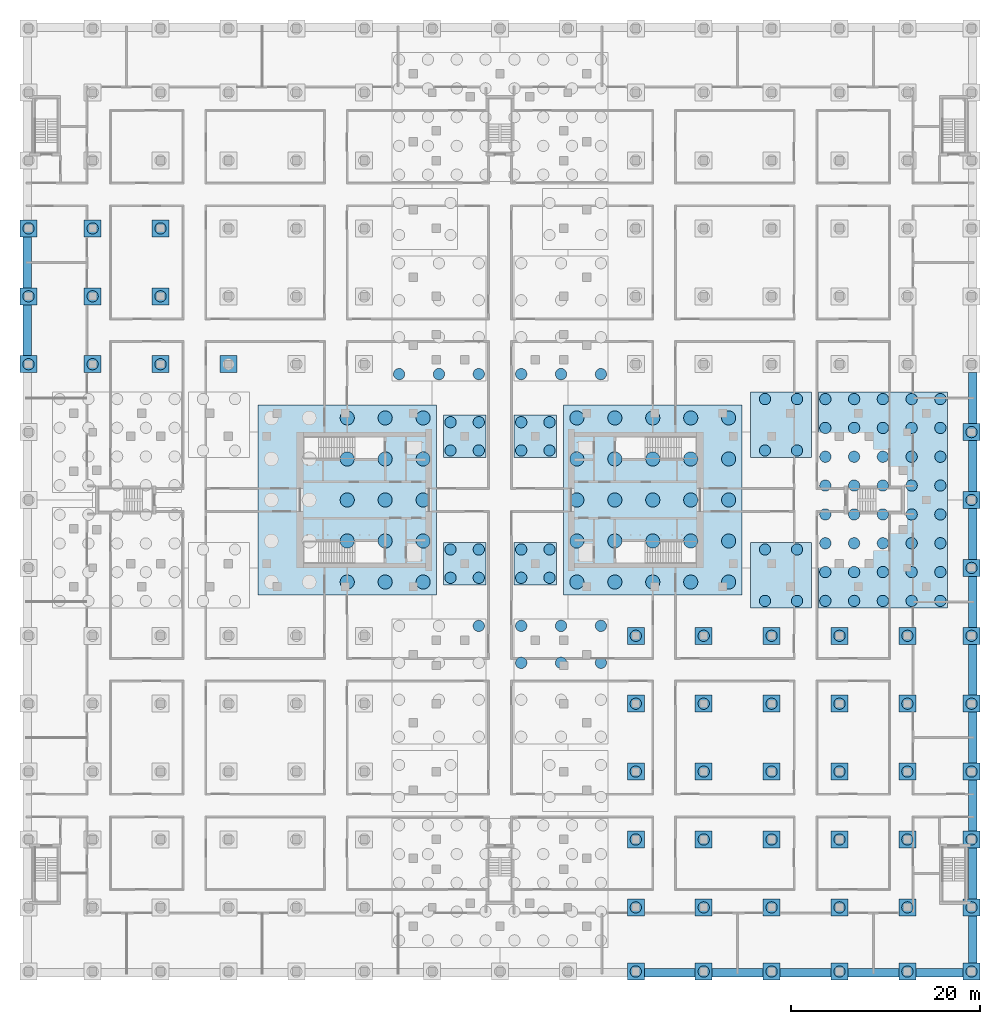
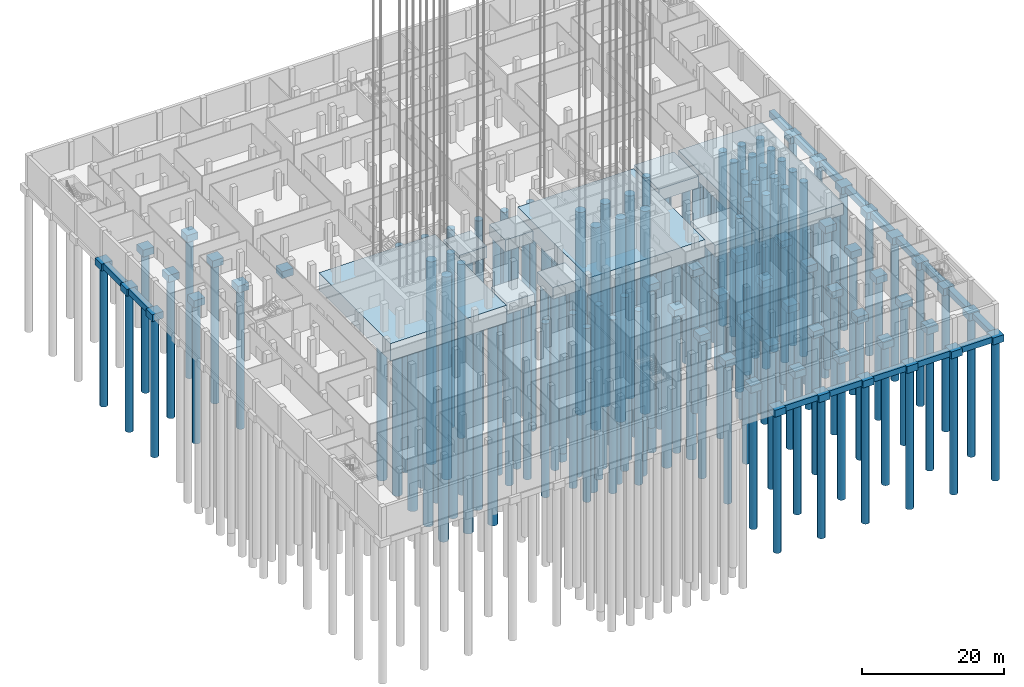
# One storey, part 2 of 54: 165 piles, 74 footings.
"""IFC4 building model written with IfcOpenShell, lengths in metres."""

from ifc_helpers import new_model, si_unit, direction, frame, origin, origin_2d, place, context, subcontext, project, spatial, rectangle, circle, extrude, material, material_profile, profile_set, type_object, element, save


model = new_model("IFC4")

# Units and contexts
model_context = context("Model", 3, precision=1e-05, world=origin(), true_north=direction((0.0, 1.0)))
body_context = subcontext(model_context, "Body", "Model", "MODEL_VIEW")
ifc_project = project(units=[si_unit("LENGTHUNIT", "METRE"), si_unit("AREAUNIT", "SQUARE_METRE"), si_unit("VOLUMEUNIT", "CUBIC_METRE"), si_unit("PLANEANGLEUNIT", "RADIAN"), si_unit("MASSUNIT", "GRAM", prefix="KILO")], contexts=[model_context])

# Site, building, storey
site_placement = place(None, origin())
site = spatial("IfcSite", under=ifc_project, at=site_placement, CompositionType="ELEMENT")
building_placement = place(site_placement, origin())
building = spatial("IfcBuilding", under=site, at=building_placement, Name="Fustian Cross Tower", CompositionType="ELEMENT")
storey_placement = place(building_placement, frame((0.0, 0.0, -4.800048828125)))
storey = spatial("IfcBuildingStorey", under=building, at=storey_placement, Name="B1", CompositionType="ELEMENT", Elevation=-4.800048828125)

# Piles
ifc_material_1 = material(Name="Concrete C40/50", Category="concrete")
ifc_material_profile_1 = material_profile(ifc_material_1, circle(Radius=0.60009765625, at=origin_2d()), Name="BORED PILE D1200 L24000")
ifc_profile_set_1 = profile_set([ifc_material_profile_1], Name="Concrete C40/50")
pile_type_1 = type_object("IfcPileType", Name="BORED PILE D1200 L24000", PredefinedType="BORED", material=ifc_profile_set_1)
for number, where, z_axis, x_axis, name in (
    (1, (-50.0, 14.39990234375, -1.599853515625), (0.0, 0.0, -1.0), (1.0, 0.0, 0.0), "PILE 010-01"),
    (2, (-50.0, 21.60009765625, -1.599853515625), (0.0, 0.0, -1.0), (1.0, 0.0, 0.0), "PILE 011-01"),
    (3, (-50.0, 28.800048828125, -1.599853515625), (0.0, 0.0, -1.0), (1.0, 0.0, 0.0), "PILE 012-01"),
    (4, (-43.199951171875, 14.39990234375, -1.599853515625), (0.0, 0.0, -1.0), (1.0, 0.0, 0.0), "PILE 024-01"),
    (5, (-43.199951171875, 21.60009765625, -1.599853515625), (0.0, 0.0, -1.0), (1.0, 0.0, 0.0), "PILE 025-01"),
    (6, (-43.199951171875, 28.800048828125, -1.599853515625), (0.0, 0.0, -1.0), (1.0, 0.0, 0.0), "PILE 026-01"),
    (7, (-36.0, 14.39990234375, -1.599853515625), (0.0, 0.0, -1.0), (1.0, 0.0, 0.0), "PILE 036-01"),
    (8, (-36.0, 21.60009765625, -1.599853515625), (0.0, 0.0, -1.0), (1.0, 0.0, 0.0), "PILE 037-01"),
    (9, (-36.0, 28.800048828125, -1.599853515625), (0.0, 0.0, -1.0), (1.0, 0.0, 0.0), "PILE 038-01"),
    (10, (14.39990234375, -50.0, -1.599853515625), (0.0, 0.0, -1.0), (1.0, 0.0, 0.0), "PILE 100-01"),
    (11, (14.39990234375, -43.199951171875, -1.599853515625), (0.0, 0.0, -1.0), (1.0, 0.0, 0.0), "PILE 101-01"),
    (12, (14.39990234375, -36.0, -1.599853515625), (0.0, 0.0, -1.0), (1.0, 0.0, 0.0), "PILE 102-01"),
    (13, (14.39990234375, -28.800048828125, -1.599853515625), (0.0, 0.0, -1.0), (1.0, 0.0, 0.0), "PILE 103-01"),
    (14, (14.39990234375, -21.60009765625, -1.599853515625), (0.0, 0.0, -1.0), (1.0, 0.0, 0.0), "PILE 104-01"),
    (15, (14.39990234375, -14.39990234375, -1.599853515625), (0.0, 0.0, -1.0), (1.0, 0.0, 0.0), "PILE 105-01"),
    (16, (21.60009765625, -50.0, -1.599853515625), (0.0, 0.0, -1.0), (1.0, 0.0, 0.0), "PILE 112-01"),
    (17, (21.60009765625, -43.199951171875, -1.599853515625), (0.0, 0.0, -1.0), (1.0, 0.0, 0.0), "PILE 113-01"),
    (18, (21.60009765625, -36.0, -1.599853515625), (0.0, 0.0, -1.0), (1.0, 0.0, 0.0), "PILE 114-01"),
    (19, (21.60009765625, -28.800048828125, -1.599853515625), (0.0, 0.0, -1.0), (1.0, 0.0, 0.0), "PILE 115-01"),
    (20, (21.60009765625, -21.60009765625, -1.599853515625), (0.0, 0.0, -1.0), (1.0, 0.0, 0.0), "PILE 116-01"),
    (21, (21.60009765625, -14.39990234375, -1.599853515625), (0.0, 0.0, -1.0), (1.0, 0.0, 0.0), "PILE 117-01"),
    (22, (28.800048828125, -50.0, -1.599853515625), (0.0, 0.0, -1.0), (1.0, 0.0, 0.0), "PILE 124-01"),
    (23, (28.800048828125, -43.199951171875, -1.599853515625), (0.0, 0.0, -1.0), (1.0, 0.0, 0.0), "PILE 125-01"),
    (24, (28.800048828125, -36.0, -1.599853515625), (0.0, 0.0, -1.0), (1.0, 0.0, 0.0), "PILE 126-01"),
    (25, (28.800048828125, -28.800048828125, -1.599853515625), (0.0, 0.0, -1.0), (1.0, 0.0, 0.0), "PILE 127-01"),
    (26, (28.800048828125, -21.60009765625, -1.599853515625), (0.0, 0.0, -1.0), (1.0, 0.0, 0.0), "PILE 128-01"),
    (27, (28.800048828125, -14.39990234375, -1.599853515625), (0.0, 0.0, -1.0), (1.0, 0.0, 0.0), "PILE 129-01"),
    (28, (36.0, -50.0, -1.599853515625), (0.0, 0.0, -1.0), (1.0, 0.0, 0.0), "PILE 138-01"),
    (29, (36.0, -43.199951171875, -1.599853515625), (0.0, 0.0, -1.0), (1.0, 0.0, 0.0), "PILE 139-01"),
    (30, (36.0, -36.0, -1.599853515625), (0.0, 0.0, -1.0), (1.0, 0.0, 0.0), "PILE 140-01"),
    (31, (36.0, -28.800048828125, -1.599853515625), (0.0, 0.0, -1.0), (1.0, 0.0, 0.0), "PILE 141-01"),
    (32, (36.0, -21.60009765625, -1.599853515625), (0.0, 0.0, -1.0), (1.0, 0.0, 0.0), "PILE 142-01"),
    (33, (36.0, -14.39990234375, -1.599853515625), (0.0, 0.0, -1.0), (1.0, 0.0, 0.0), "PILE 143-01"),
    (34, (43.199951171875, -50.0, -1.599853515625), (0.0, 0.0, -1.0), (1.0, 0.0, 0.0), "PILE 151-01"),
    (35, (43.199951171875, -43.199951171875, -1.599853515625), (0.0, 0.0, -1.0), (1.0, 0.0, 0.0), "PILE 152-01"),
    (36, (43.199951171875, -36.0, -1.599853515625), (0.0, 0.0, -1.0), (1.0, 0.0, 0.0), "PILE 153-01"),
    (37, (43.199951171875, -28.800048828125, -1.599853515625), (0.0, 0.0, -1.0), (1.0, 0.0, 0.0), "PILE 154-01"),
    (38, (43.199951171875, -21.60009765625, -1.599853515625), (0.0, 0.0, -1.0), (1.0, 0.0, 0.0), "PILE 155-01"),
    (39, (43.199951171875, -14.39990234375, -1.599853515625), (0.0, 0.0, -1.0), (1.0, 0.0, 0.0), "PILE 156-01"),
    (40, (50.0, -50.0, -1.599853515625), (0.0, 0.0, -1.0), (1.0, 0.0, 0.0), "PILE 163-01"),
    (41, (50.0, -43.199951171875, -1.599853515625), (0.0, 0.0, -1.0), (1.0, 0.0, 0.0), "PILE 164-01"),
    (42, (50.0, -36.0, -1.599853515625), (0.0, 0.0, -1.0), (1.0, 0.0, 0.0), "PILE 165-01"),
    (43, (50.0, -28.800048828125, -1.599853515625), (0.0, 0.0, -1.0), (1.0, 0.0, 0.0), "PILE 166-01"),
    (44, (50.0, -21.60009765625, -1.599853515625), (0.0, 0.0, -1.0), (1.0, 0.0, 0.0), "PILE 167-01"),
    (45, (50.0, -14.39990234375, -1.599853515625), (0.0, 0.0, -1.0), (1.0, 0.0, 0.0), "PILE 168-01"),
    (46, (50.0, -7.199951171875, -1.599853515625), (0.0, 0.0, -1.0), (1.0, 0.0, 0.0), "PILE 169-01"),
    (47, (50.0, 0.0, -1.599853515625), (0.0, 0.0, -1.0), (1.0, 0.0, 0.0), "PILE 170-01"),
    (48, (50.0, 7.199951171875, -1.599853515625), (0.0, 0.0, -1.0), (1.0, 0.0, 0.0), "PILE 171-01"),
):
    element("IfcPile", number, at=place(storey_placement, frame(where, z_axis=z_axis, x_axis=x_axis)), inside=storey, type_object=pile_type_1, Name=name, PredefinedType="BORED", context=body_context, shape_type="SweptSolid", body=[
        extrude(circle(Radius=0.60009765625, at=origin_2d()), origin(), (0.0, 0.0, 1.0), 24.0),
    ])
ifc_material_2 = material(Name="Concrete C40/50", Category="concrete")
ifc_material_profile_2 = material_profile(ifc_material_2, circle(Radius=0.60009765625, at=origin_2d()), Name="BORED PILE D1200 L30000")
ifc_profile_set_2 = profile_set([ifc_material_profile_2], Name="Concrete C40/50")
pile_type_2 = type_object("IfcPileType", Name="BORED PILE D1200 L30000", PredefinedType="BORED", material=ifc_profile_set_2)
for number, where, z_axis, x_axis, name in (
    (49, (-2.25, -13.35009765625, -2.39990234375), (0.0, 0.0, -1.0), (1.0, 0.0, 0.0), "PILE 082-12"),
    (50, (-10.699951171875, 13.35009765625, -2.39990234375), (0.0, 0.0, -1.0), (1.0, 0.0, 0.0), "PILE 083-01"),
    (51, (-6.47509765625, 13.35009765625, -2.39990234375), (0.0, 0.0, -1.0), (1.0, 0.0, 0.0), "PILE 083-05"),
    (52, (-2.25, 13.35009765625, -2.39990234375), (0.0, 0.0, -1.0), (1.0, 0.0, 0.0), "PILE 083-09"),
    (53, (-5.25, -8.25, -2.39990234375), (0.0, 0.0, -1.0), (1.0, 0.0, 0.0), "PILE 088-01"),
    (54, (-5.25, -5.25, -2.39990234375), (0.0, 0.0, -1.0), (1.0, 0.0, 0.0), "PILE 088-02"),
    (55, (-2.25, -8.25, -2.39990234375), (0.0, 0.0, -1.0), (1.0, 0.0, 0.0), "PILE 088-03"),
    (56, (-2.25, -5.25, -2.39990234375), (0.0, 0.0, -1.0), (1.0, 0.0, 0.0), "PILE 088-04"),
    (57, (-5.25, 5.25, -2.39990234375), (0.0, 0.0, -1.0), (1.0, 0.0, 0.0), "PILE 089-01"),
    (58, (-5.25, 8.25, -2.39990234375), (0.0, 0.0, -1.0), (1.0, 0.0, 0.0), "PILE 089-02"),
    (59, (-2.25, 5.25, -2.39990234375), (0.0, 0.0, -1.0), (1.0, 0.0, 0.0), "PILE 089-03"),
    (60, (-2.25, 8.25, -2.39990234375), (0.0, 0.0, -1.0), (1.0, 0.0, 0.0), "PILE 089-04"),
    (61, (2.25, -17.2666015625, -2.39990234375), (0.0, 0.0, -1.0), (1.0, 0.0, 0.0), "PILE 092-03"),
    (62, (2.25, -13.35009765625, -2.39990234375), (0.0, 0.0, -1.0), (1.0, 0.0, 0.0), "PILE 092-04"),
    (63, (6.47509765625, -17.2666015625, -2.39990234375), (0.0, 0.0, -1.0), (1.0, 0.0, 0.0), "PILE 092-07"),
    (64, (6.47509765625, -13.35009765625, -2.39990234375), (0.0, 0.0, -1.0), (1.0, 0.0, 0.0), "PILE 092-08"),
    (65, (10.699951171875, -17.2666015625, -2.39990234375), (0.0, 0.0, -1.0), (1.0, 0.0, 0.0), "PILE 092-11"),
    (66, (10.699951171875, -13.35009765625, -2.39990234375), (0.0, 0.0, -1.0), (1.0, 0.0, 0.0), "PILE 092-12"),
    (67, (2.25, -8.25, -2.39990234375), (0.0, 0.0, -1.0), (1.0, 0.0, 0.0), "PILE 093-01"),
    (68, (2.25, -5.25, -2.39990234375), (0.0, 0.0, -1.0), (1.0, 0.0, 0.0), "PILE 093-02"),
    (69, (5.25, -8.25, -2.39990234375), (0.0, 0.0, -1.0), (1.0, 0.0, 0.0), "PILE 093-03"),
    (70, (5.25, -5.25, -2.39990234375), (0.0, 0.0, -1.0), (1.0, 0.0, 0.0), "PILE 093-04"),
    (71, (2.25, 5.25, -2.39990234375), (0.0, 0.0, -1.0), (1.0, 0.0, 0.0), "PILE 094-01"),
    (72, (2.25, 8.25, -2.39990234375), (0.0, 0.0, -1.0), (1.0, 0.0, 0.0), "PILE 094-02"),
    (73, (5.25, 5.25, -2.39990234375), (0.0, 0.0, -1.0), (1.0, 0.0, 0.0), "PILE 094-03"),
    (74, (5.25, 8.25, -2.39990234375), (0.0, 0.0, -1.0), (1.0, 0.0, 0.0), "PILE 094-04"),
    (75, (2.25, 13.35009765625, -2.39990234375), (0.0, 0.0, -1.0), (1.0, 0.0, 0.0), "PILE 095-01"),
    (76, (6.47509765625, 13.35009765625, -2.39990234375), (0.0, 0.0, -1.0), (1.0, 0.0, 0.0), "PILE 095-05"),
    (77, (10.699951171875, 13.35009765625, -2.39990234375), (0.0, 0.0, -1.0), (1.0, 0.0, 0.0), "PILE 095-09"),
    (78, (28.10009765625, -10.699951171875, -2.39990234375), (0.0, 0.0, -1.0), (1.0, 0.0, 0.0), "PILE 130-01"),
    (79, (28.10009765625, -5.25, -2.39990234375), (0.0, 0.0, -1.0), (1.0, 0.0, 0.0), "PILE 130-02"),
    (80, (31.5, -10.699951171875, -2.39990234375), (0.0, 0.0, -1.0), (1.0, 0.0, 0.0), "PILE 130-03"),
    (81, (31.5, -5.25, -2.39990234375), (0.0, 0.0, -1.0), (1.0, 0.0, 0.0), "PILE 130-04"),
    (82, (28.10009765625, 5.25, -2.39990234375), (0.0, 0.0, -1.0), (1.0, 0.0, 0.0), "PILE 131-01"),
    (83, (28.10009765625, 10.699951171875, -2.39990234375), (0.0, 0.0, -1.0), (1.0, 0.0, 0.0), "PILE 131-02"),
    (84, (31.5, 5.25, -2.39990234375), (0.0, 0.0, -1.0), (1.0, 0.0, 0.0), "PILE 131-03"),
    (85, (31.5, 10.699951171875, -2.39990234375), (0.0, 0.0, -1.0), (1.0, 0.0, 0.0), "PILE 131-04"),
    (86, (34.5, -10.699951171875, -2.39990234375), (0.0, 0.0, -1.0), (1.0, 0.0, 0.0), "PILE 144-01"),
    (87, (34.5, -7.642822265625, -2.39990234375), (0.0, 0.0, -1.0), (1.0, 0.0, 0.0), "PILE 144-02"),
    (88, (34.5, -4.585693359375, -2.39990234375), (0.0, 0.0, -1.0), (1.0, 0.0, 0.0), "PILE 144-03"),
    (89, (34.5, -1.528564453125, -2.39990234375), (0.0, 0.0, -1.0), (1.0, 0.0, 0.0), "PILE 144-04"),
    (90, (34.5, 1.528564453125, -2.39990234375), (0.0, 0.0, -1.0), (1.0, 0.0, 0.0), "PILE 144-05"),
    (91, (34.5, 4.585693359375, -2.39990234375), (0.0, 0.0, -1.0), (1.0, 0.0, 0.0), "PILE 144-06"),
    (92, (34.5, 7.642822265625, -2.39990234375), (0.0, 0.0, -1.0), (1.0, 0.0, 0.0), "PILE 144-07"),
    (93, (34.5, 10.699951171875, -2.39990234375), (0.0, 0.0, -1.0), (1.0, 0.0, 0.0), "PILE 144-08"),
    (94, (37.550048828125, -10.699951171875, -2.39990234375), (0.0, 0.0, -1.0), (1.0, 0.0, 0.0), "PILE 144-09"),
    (95, (37.550048828125, -7.642822265625, -2.39990234375), (0.0, 0.0, -1.0), (1.0, 0.0, 0.0), "PILE 144-10"),
    (96, (37.550048828125, -4.585693359375, -2.39990234375), (0.0, 0.0, -1.0), (1.0, 0.0, 0.0), "PILE 144-11"),
    (97, (37.550048828125, -1.528564453125, -2.39990234375), (0.0, 0.0, -1.0), (1.0, 0.0, 0.0), "PILE 144-12"),
    (98, (37.550048828125, 1.528564453125, -2.39990234375), (0.0, 0.0, -1.0), (1.0, 0.0, 0.0), "PILE 144-13"),
    (99, (37.550048828125, 4.585693359375, -2.39990234375), (0.0, 0.0, -1.0), (1.0, 0.0, 0.0), "PILE 144-14"),
    (100, (37.550048828125, 7.642822265625, -2.39990234375), (0.0, 0.0, -1.0), (1.0, 0.0, 0.0), "PILE 144-15"),
    (101, (37.550048828125, 10.699951171875, -2.39990234375), (0.0, 0.0, -1.0), (1.0, 0.0, 0.0), "PILE 144-16"),
    (102, (40.60009765625, -10.699951171875, -2.39990234375), (0.0, 0.0, -1.0), (1.0, 0.0, 0.0), "PILE 144-17"),
    (103, (40.60009765625, -7.642822265625, -2.39990234375), (0.0, 0.0, -1.0), (1.0, 0.0, 0.0), "PILE 144-18"),
    (104, (40.60009765625, -4.585693359375, -2.39990234375), (0.0, 0.0, -1.0), (1.0, 0.0, 0.0), "PILE 144-19"),
    (105, (40.60009765625, -1.528564453125, -2.39990234375), (0.0, 0.0, -1.0), (1.0, 0.0, 0.0), "PILE 144-20"),
    (106, (40.60009765625, 1.528564453125, -2.39990234375), (0.0, 0.0, -1.0), (1.0, 0.0, 0.0), "PILE 144-21"),
    (107, (40.60009765625, 4.585693359375, -2.39990234375), (0.0, 0.0, -1.0), (1.0, 0.0, 0.0), "PILE 144-22"),
    (108, (40.60009765625, 7.642822265625, -2.39990234375), (0.0, 0.0, -1.0), (1.0, 0.0, 0.0), "PILE 144-23"),
    (109, (40.60009765625, 10.699951171875, -2.39990234375), (0.0, 0.0, -1.0), (1.0, 0.0, 0.0), "PILE 144-24"),
    (110, (43.64990234375, -10.699951171875, -2.39990234375), (0.0, 0.0, -1.0), (1.0, 0.0, 0.0), "PILE 144-25"),
    (111, (43.64990234375, -7.642822265625, -2.39990234375), (0.0, 0.0, -1.0), (1.0, 0.0, 0.0), "PILE 144-26"),
    (112, (43.64990234375, -4.585693359375, -2.39990234375), (0.0, 0.0, -1.0), (1.0, 0.0, 0.0), "PILE 144-27"),
    (113, (43.64990234375, -1.528564453125, -2.39990234375), (0.0, 0.0, -1.0), (1.0, 0.0, 0.0), "PILE 144-28"),
    (114, (43.64990234375, 1.528564453125, -2.39990234375), (0.0, 0.0, -1.0), (1.0, 0.0, 0.0), "PILE 144-29"),
    (115, (43.64990234375, 4.585693359375, -2.39990234375), (0.0, 0.0, -1.0), (1.0, 0.0, 0.0), "PILE 144-30"),
    (116, (43.64990234375, 7.642822265625, -2.39990234375), (0.0, 0.0, -1.0), (1.0, 0.0, 0.0), "PILE 144-31"),
    (117, (43.64990234375, 10.699951171875, -2.39990234375), (0.0, 0.0, -1.0), (1.0, 0.0, 0.0), "PILE 144-32"),
    (118, (46.699951171875, -10.699951171875, -2.39990234375), (0.0, 0.0, -1.0), (1.0, 0.0, 0.0), "PILE 144-33"),
    (119, (46.699951171875, -7.642822265625, -2.39990234375), (0.0, 0.0, -1.0), (1.0, 0.0, 0.0), "PILE 144-34"),
    (120, (46.699951171875, -4.585693359375, -2.39990234375), (0.0, 0.0, -1.0), (1.0, 0.0, 0.0), "PILE 144-35"),
    (121, (46.699951171875, -1.528564453125, -2.39990234375), (0.0, 0.0, -1.0), (1.0, 0.0, 0.0), "PILE 144-36"),
    (122, (46.699951171875, 1.528564453125, -2.39990234375), (0.0, 0.0, -1.0), (1.0, 0.0, 0.0), "PILE 144-37"),
    (123, (46.699951171875, 4.585693359375, -2.39990234375), (0.0, 0.0, -1.0), (1.0, 0.0, 0.0), "PILE 144-38"),
    (124, (46.699951171875, 7.642822265625, -2.39990234375), (0.0, 0.0, -1.0), (1.0, 0.0, 0.0), "PILE 144-39"),
    (125, (46.699951171875, 10.699951171875, -2.39990234375), (0.0, 0.0, -1.0), (1.0, 0.0, 0.0), "PILE 144-40"),
):
    element("IfcPile", number, at=place(storey_placement, frame(where, z_axis=z_axis, x_axis=x_axis)), inside=storey, type_object=pile_type_2, Name=name, PredefinedType="BORED", context=body_context, shape_type="SweptSolid", body=[
        extrude(circle(Radius=0.60009765625, at=origin_2d()), origin(), (0.0, 0.0, 1.0), 30.0),
    ])
ifc_material_3 = material(Name="Concrete C40/50", Category="concrete")
ifc_material_profile_3 = material_profile(ifc_material_3, circle(Radius=0.75, at=origin_2d()), Name="BORED PILE D1500")
ifc_profile_set_3 = profile_set([ifc_material_profile_3], Name="Concrete C40/50")
pile_type_3 = type_object("IfcPileType", Name="BORED PILE D1500", PredefinedType="BORED", material=ifc_profile_set_3)
for number, where, z_axis, x_axis, name in (
    (126, (8.14990234375, -8.699951171875, -2.89990234375), (0.0, 0.0, -1.0), (1.0, 0.0, 0.0), "PILE E01"),
    (127, (8.14990234375, -4.35009765625, -2.89990234375), (0.0, 0.0, -1.0), (1.0, 0.0, 0.0), "PILE E02"),
    (128, (8.14990234375, 0.0, -2.89990234375), (0.0, 0.0, -1.0), (1.0, 0.0, 0.0), "PILE E03"),
    (129, (8.14990234375, 4.35009765625, -2.89990234375), (0.0, 0.0, -1.0), (1.0, 0.0, 0.0), "PILE E04"),
    (130, (8.14990234375, 8.699951171875, -2.89990234375), (0.0, 0.0, -1.0), (1.0, 0.0, 0.0), "PILE E05"),
    (131, (12.175048828125, -8.699951171875, -2.89990234375), (0.0, 0.0, -1.0), (1.0, 0.0, 0.0), "PILE E06"),
    (132, (12.175048828125, -4.35009765625, -2.89990234375), (0.0, 0.0, -1.0), (1.0, 0.0, 0.0), "PILE E07"),
    (133, (12.175048828125, 0.0, -2.89990234375), (0.0, 0.0, -1.0), (1.0, 0.0, 0.0), "PILE E08"),
    (134, (12.175048828125, 4.35009765625, -2.89990234375), (0.0, 0.0, -1.0), (1.0, 0.0, 0.0), "PILE E09"),
    (135, (12.175048828125, 8.699951171875, -2.89990234375), (0.0, 0.0, -1.0), (1.0, 0.0, 0.0), "PILE E10"),
    (136, (16.199951171875, -8.699951171875, -2.89990234375), (0.0, 0.0, -1.0), (1.0, 0.0, 0.0), "PILE E11"),
    (137, (16.199951171875, -4.35009765625, -2.89990234375), (0.0, 0.0, -1.0), (1.0, 0.0, 0.0), "PILE E12"),
    (138, (16.199951171875, 0.0, -2.89990234375), (0.0, 0.0, -1.0), (1.0, 0.0, 0.0), "PILE E13"),
    (139, (16.199951171875, 4.35009765625, -2.89990234375), (0.0, 0.0, -1.0), (1.0, 0.0, 0.0), "PILE E14"),
    (140, (16.199951171875, 8.699951171875, -2.89990234375), (0.0, 0.0, -1.0), (1.0, 0.0, 0.0), "PILE E15"),
    (141, (20.22509765625, -8.699951171875, -2.89990234375), (0.0, 0.0, -1.0), (1.0, 0.0, 0.0), "PILE E16"),
    (142, (20.22509765625, -4.35009765625, -2.89990234375), (0.0, 0.0, -1.0), (1.0, 0.0, 0.0), "PILE E17"),
    (143, (20.22509765625, 0.0, -2.89990234375), (0.0, 0.0, -1.0), (1.0, 0.0, 0.0), "PILE E18"),
    (144, (20.22509765625, 4.35009765625, -2.89990234375), (0.0, 0.0, -1.0), (1.0, 0.0, 0.0), "PILE E19"),
    (145, (20.22509765625, 8.699951171875, -2.89990234375), (0.0, 0.0, -1.0), (1.0, 0.0, 0.0), "PILE E20"),
    (146, (24.25, -8.699951171875, -2.89990234375), (0.0, 0.0, -1.0), (1.0, 0.0, 0.0), "PILE E21"),
    (147, (24.25, -4.35009765625, -2.89990234375), (0.0, 0.0, -1.0), (1.0, 0.0, 0.0), "PILE E22"),
    (148, (24.25, 0.0, -2.89990234375), (0.0, 0.0, -1.0), (1.0, 0.0, 0.0), "PILE E23"),
    (149, (24.25, 4.35009765625, -2.89990234375), (0.0, 0.0, -1.0), (1.0, 0.0, 0.0), "PILE E24"),
    (150, (24.25, 8.699951171875, -2.89990234375), (0.0, 0.0, -1.0), (1.0, 0.0, 0.0), "PILE E25"),
    (151, (-16.199951171875, -8.699951171875, -2.89990234375), (0.0, 0.0, -1.0), (1.0, 0.0, 0.0), "PILE W11"),
    (152, (-16.199951171875, -4.35009765625, -2.89990234375), (0.0, 0.0, -1.0), (1.0, 0.0, 0.0), "PILE W12"),
    (153, (-16.199951171875, 0.0, -2.89990234375), (0.0, 0.0, -1.0), (1.0, 0.0, 0.0), "PILE W13"),
    (154, (-16.199951171875, 4.35009765625, -2.89990234375), (0.0, 0.0, -1.0), (1.0, 0.0, 0.0), "PILE W14"),
    (155, (-16.199951171875, 8.699951171875, -2.89990234375), (0.0, 0.0, -1.0), (1.0, 0.0, 0.0), "PILE W15"),
    (156, (-12.175048828125, -8.699951171875, -2.89990234375), (0.0, 0.0, -1.0), (1.0, 0.0, 0.0), "PILE W16"),
    (157, (-12.175048828125, -4.35009765625, -2.89990234375), (0.0, 0.0, -1.0), (1.0, 0.0, 0.0), "PILE W17"),
    (158, (-12.175048828125, 0.0, -2.89990234375), (0.0, 0.0, -1.0), (1.0, 0.0, 0.0), "PILE W18"),
    (159, (-12.175048828125, 4.35009765625, -2.89990234375), (0.0, 0.0, -1.0), (1.0, 0.0, 0.0), "PILE W19"),
    (160, (-12.175048828125, 8.699951171875, -2.89990234375), (0.0, 0.0, -1.0), (1.0, 0.0, 0.0), "PILE W20"),
    (161, (-8.14990234375, -8.699951171875, -2.89990234375), (0.0, 0.0, -1.0), (1.0, 0.0, 0.0), "PILE W21"),
    (162, (-8.14990234375, -4.35009765625, -2.89990234375), (0.0, 0.0, -1.0), (1.0, 0.0, 0.0), "PILE W22"),
    (163, (-8.14990234375, 0.0, -2.89990234375), (0.0, 0.0, -1.0), (1.0, 0.0, 0.0), "PILE W23"),
    (164, (-8.14990234375, 4.35009765625, -2.89990234375), (0.0, 0.0, -1.0), (1.0, 0.0, 0.0), "PILE W24"),
    (165, (-8.14990234375, 8.699951171875, -2.89990234375), (0.0, 0.0, -1.0), (1.0, 0.0, 0.0), "PILE W25"),
):
    element("IfcPile", number, at=place(storey_placement, frame(where, z_axis=z_axis, x_axis=x_axis)), inside=storey, type_object=pile_type_3, Name=name, PredefinedType="BORED", context=body_context, shape_type="SweptSolid", body=[
        extrude(circle(Radius=0.75, at=origin_2d()), origin(), (0.0, 0.0, 1.0), 35.0),
    ])

# Footings
ifc_material_4 = material(Name="Concrete C40/50", Category="concrete")
footing_type_1 = type_object("IfcFootingType", Name="CORE RAFT 18900X20200X3000", PredefinedType="PILE_CAP", material=ifc_material_4)
for number, where, z_axis, x_axis, name in (
    (166, (16.199951171875, 0.0, -3.0), (0.0, 0.0, 1.0), (1.0, 0.0, 0.0), "CORE RAFT E"),
    (167, (-16.199951171875, 0.0, -3.0), (0.0, 0.0, 1.0), (1.0, 0.0, 0.0), "CORE RAFT W"),
):
    element("IfcFooting", number, at=place(storey_placement, frame(where, z_axis=z_axis, x_axis=x_axis)), inside=storey, type_object=footing_type_1, Name=name, PredefinedType="PILE_CAP", context=body_context, shape_type="SweptSolid", body=[
        extrude(rectangle(XDim=18.89990234375, YDim=20.199951171875, at=origin_2d()), origin(), (0.0, 0.0, 1.0), 3.0),
    ])
ifc_material_5 = material(Name="Concrete C40/50", Category="concrete")
footing_type_2 = type_object("IfcFootingType", Name="GROUND BEAM 900X1000", PredefinedType="FOOTING_BEAM", material=ifc_material_5)
for number, where, z_axis, x_axis, name in (
    (168, (18.0, -50.14990234375, -1.5), (0.0, 0.0, 1.0), (1.0, 0.0, 0.0), "GROUND BEAM 10"),
    (169, (25.199951171875, -50.14990234375, -1.5), (0.0, 0.0, 1.0), (1.0, 0.0, 0.0), "GROUND BEAM 11"),
    (170, (32.39990234375, -50.14990234375, -1.5), (0.0, 0.0, 1.0), (1.0, 0.0, 0.0), "GROUND BEAM 12"),
    (171, (39.60009765625, -50.14990234375, -1.5), (0.0, 0.0, 1.0), (1.0, 0.0, 0.0), "GROUND BEAM 13"),
):
    element("IfcFooting", number, at=place(storey_placement, frame(where, z_axis=z_axis, x_axis=x_axis)), inside=storey, type_object=footing_type_2, Name=name, PredefinedType="FOOTING_BEAM", context=body_context, shape_type="SweptSolid", body=[
        extrude(rectangle(XDim=5.39990234375, YDim=0.89990234375, at=origin_2d()), origin(), (0.0, 0.0, 1.0), 1.0),
    ])
footing_1_placement = place(storey_placement, frame((46.60009765625, -50.14990234375, -1.5), z_axis=(0.0, 0.0, 1.0), x_axis=(1.0, 0.0, 0.0)))
element("IfcFooting", 172, at=footing_1_placement, inside=storey, type_object=footing_type_2, Name="GROUND BEAM 14", PredefinedType="FOOTING_BEAM", context=body_context, shape_type="SweptSolid", body=[
    extrude(rectangle(XDim=5.0, YDim=0.89990234375, at=origin_2d()), origin(), (0.0, 0.0, 1.0), 1.0),
])
for number, where, z_axis, x_axis, name in (
    (173, (-50.14990234375, 18.0, -1.5), (0.0, 0.0, 1.0), (1.0, 0.0, 0.0), "GROUND BEAM 38"),
    (174, (-50.14990234375, 25.199951171875, -1.5), (0.0, 0.0, 1.0), (1.0, 0.0, 0.0), "GROUND BEAM 39"),
):
    element("IfcFooting", number, at=place(storey_placement, frame(where, z_axis=z_axis, x_axis=x_axis)), inside=storey, type_object=footing_type_2, Name=name, PredefinedType="FOOTING_BEAM", context=body_context, shape_type="SweptSolid", body=[
        extrude(rectangle(XDim=0.89990234375, YDim=5.39990234375, at=origin_2d()), origin(), (0.0, 0.0, 1.0), 1.0),
    ])
footing_2_placement = place(storey_placement, frame((50.14990234375, -46.60009765625, -1.5), z_axis=(0.0, 0.0, 1.0), x_axis=(1.0, 0.0, 0.0)))
element("IfcFooting", 175, at=footing_2_placement, inside=storey, type_object=footing_type_2, Name="GROUND BEAM 43", PredefinedType="FOOTING_BEAM", context=body_context, shape_type="SweptSolid", body=[
    extrude(rectangle(XDim=0.89990234375, YDim=5.0, at=origin_2d()), origin(), (0.0, 0.0, 1.0), 1.0),
])
for number, where, z_axis, x_axis, name in (
    (176, (50.14990234375, -39.60009765625, -1.5), (0.0, 0.0, 1.0), (1.0, 0.0, 0.0), "GROUND BEAM 44"),
    (177, (50.14990234375, -32.39990234375, -1.5), (0.0, 0.0, 1.0), (1.0, 0.0, 0.0), "GROUND BEAM 45"),
    (178, (50.14990234375, -25.199951171875, -1.5), (0.0, 0.0, 1.0), (1.0, 0.0, 0.0), "GROUND BEAM 46"),
    (179, (50.14990234375, -18.0, -1.5), (0.0, 0.0, 1.0), (1.0, 0.0, 0.0), "GROUND BEAM 47"),
    (180, (50.14990234375, -10.800048828125, -1.5), (0.0, 0.0, 1.0), (1.0, 0.0, 0.0), "GROUND BEAM 48"),
    (181, (50.14990234375, -3.60009765625, -1.5), (0.0, 0.0, 1.0), (1.0, 0.0, 0.0), "GROUND BEAM 49"),
    (182, (50.14990234375, 3.60009765625, -1.5), (0.0, 0.0, 1.0), (1.0, 0.0, 0.0), "GROUND BEAM 50"),
    (183, (50.14990234375, 10.800048828125, -1.5), (0.0, 0.0, 1.0), (1.0, 0.0, 0.0), "GROUND BEAM 51"),
):
    element("IfcFooting", number, at=place(storey_placement, frame(where, z_axis=z_axis, x_axis=x_axis)), inside=storey, type_object=footing_type_2, Name=name, PredefinedType="FOOTING_BEAM", context=body_context, shape_type="SweptSolid", body=[
        extrude(rectangle(XDim=0.89990234375, YDim=5.39990234375, at=origin_2d()), origin(), (0.0, 0.0, 1.0), 1.0),
    ])
ifc_material_6 = material(Name="Concrete C40/50", Category="concrete")
footing_type_3 = type_object("IfcFootingType", Name="PILE CAP 13700X22900X2000", PredefinedType="PILE_CAP", material=ifc_material_6)
footing_3_placement = place(storey_placement, frame((40.60009765625, 0.0, -2.5), z_axis=(0.0, 0.0, 1.0), x_axis=(1.0, 0.0, 0.0)))
element("IfcFooting", 184, at=footing_3_placement, inside=storey, type_object=footing_type_3, Name="PILE CAP 144", PredefinedType="PILE_CAP", context=body_context, shape_type="SweptSolid", body=[
    extrude(rectangle(XDim=13.699951171875, YDim=22.89990234375, at=origin_2d()), origin(), (0.0, 0.0, 1.0), 2.0),
])
ifc_material_7 = material(Name="Concrete C40/50", Category="concrete")
footing_type_4 = type_object("IfcFootingType", Name="PILE CAP 1800X1800X1200", PredefinedType="PILE_CAP", material=ifc_material_7)
for number, where, z_axis, x_axis, name in (
    (185, (-50.0, 14.39990234375, -1.69970703125), (0.0, 0.0, 1.0), (1.0, 0.0, 0.0), "PILE CAP 010"),
    (186, (-50.0, 21.60009765625, -1.69970703125), (0.0, 0.0, 1.0), (1.0, 0.0, 0.0), "PILE CAP 011"),
    (187, (-50.0, 28.800048828125, -1.69970703125), (0.0, 0.0, 1.0), (1.0, 0.0, 0.0), "PILE CAP 012"),
    (188, (-43.199951171875, 14.39990234375, -1.69970703125), (0.0, 0.0, 1.0), (1.0, 0.0, 0.0), "PILE CAP 024"),
    (189, (-43.199951171875, 21.60009765625, -1.69970703125), (0.0, 0.0, 1.0), (1.0, 0.0, 0.0), "PILE CAP 025"),
    (190, (-43.199951171875, 28.800048828125, -1.69970703125), (0.0, 0.0, 1.0), (1.0, 0.0, 0.0), "PILE CAP 026"),
    (191, (-36.0, 14.39990234375, -1.69970703125), (0.0, 0.0, 1.0), (1.0, 0.0, 0.0), "PILE CAP 036"),
    (192, (-36.0, 21.60009765625, -1.69970703125), (0.0, 0.0, 1.0), (1.0, 0.0, 0.0), "PILE CAP 037"),
    (193, (-36.0, 28.800048828125, -1.69970703125), (0.0, 0.0, 1.0), (1.0, 0.0, 0.0), "PILE CAP 038"),
    (194, (-28.800048828125, 14.39990234375, -1.69970703125), (0.0, 0.0, 1.0), (1.0, 0.0, 0.0), "PILE CAP 050"),
    (195, (14.39990234375, -50.0, -1.69970703125), (0.0, 0.0, 1.0), (1.0, 0.0, 0.0), "PILE CAP 100"),
    (196, (14.39990234375, -43.199951171875, -1.69970703125), (0.0, 0.0, 1.0), (1.0, 0.0, 0.0), "PILE CAP 101"),
    (197, (14.39990234375, -36.0, -1.69970703125), (0.0, 0.0, 1.0), (1.0, 0.0, 0.0), "PILE CAP 102"),
    (198, (14.39990234375, -28.800048828125, -1.69970703125), (0.0, 0.0, 1.0), (1.0, 0.0, 0.0), "PILE CAP 103"),
    (199, (14.39990234375, -21.60009765625, -1.69970703125), (0.0, 0.0, 1.0), (1.0, 0.0, 0.0), "PILE CAP 104"),
    (200, (14.39990234375, -14.39990234375, -1.69970703125), (0.0, 0.0, 1.0), (1.0, 0.0, 0.0), "PILE CAP 105"),
    (201, (21.60009765625, -50.0, -1.69970703125), (0.0, 0.0, 1.0), (1.0, 0.0, 0.0), "PILE CAP 112"),
    (202, (21.60009765625, -43.199951171875, -1.69970703125), (0.0, 0.0, 1.0), (1.0, 0.0, 0.0), "PILE CAP 113"),
    (203, (21.60009765625, -36.0, -1.69970703125), (0.0, 0.0, 1.0), (1.0, 0.0, 0.0), "PILE CAP 114"),
    (204, (21.60009765625, -28.800048828125, -1.69970703125), (0.0, 0.0, 1.0), (1.0, 0.0, 0.0), "PILE CAP 115"),
    (205, (21.60009765625, -21.60009765625, -1.69970703125), (0.0, 0.0, 1.0), (1.0, 0.0, 0.0), "PILE CAP 116"),
    (206, (21.60009765625, -14.39990234375, -1.69970703125), (0.0, 0.0, 1.0), (1.0, 0.0, 0.0), "PILE CAP 117"),
    (207, (28.800048828125, -50.0, -1.69970703125), (0.0, 0.0, 1.0), (1.0, 0.0, 0.0), "PILE CAP 124"),
    (208, (28.800048828125, -43.199951171875, -1.69970703125), (0.0, 0.0, 1.0), (1.0, 0.0, 0.0), "PILE CAP 125"),
    (209, (28.800048828125, -36.0, -1.69970703125), (0.0, 0.0, 1.0), (1.0, 0.0, 0.0), "PILE CAP 126"),
    (210, (28.800048828125, -28.800048828125, -1.69970703125), (0.0, 0.0, 1.0), (1.0, 0.0, 0.0), "PILE CAP 127"),
    (211, (28.800048828125, -21.60009765625, -1.69970703125), (0.0, 0.0, 1.0), (1.0, 0.0, 0.0), "PILE CAP 128"),
    (212, (28.800048828125, -14.39990234375, -1.69970703125), (0.0, 0.0, 1.0), (1.0, 0.0, 0.0), "PILE CAP 129"),
    (213, (36.0, -50.0, -1.69970703125), (0.0, 0.0, 1.0), (1.0, 0.0, 0.0), "PILE CAP 138"),
    (214, (36.0, -43.199951171875, -1.69970703125), (0.0, 0.0, 1.0), (1.0, 0.0, 0.0), "PILE CAP 139"),
    (215, (36.0, -36.0, -1.69970703125), (0.0, 0.0, 1.0), (1.0, 0.0, 0.0), "PILE CAP 140"),
    (216, (36.0, -28.800048828125, -1.69970703125), (0.0, 0.0, 1.0), (1.0, 0.0, 0.0), "PILE CAP 141"),
    (217, (36.0, -21.60009765625, -1.69970703125), (0.0, 0.0, 1.0), (1.0, 0.0, 0.0), "PILE CAP 142"),
    (218, (36.0, -14.39990234375, -1.69970703125), (0.0, 0.0, 1.0), (1.0, 0.0, 0.0), "PILE CAP 143"),
    (219, (43.199951171875, -50.0, -1.69970703125), (0.0, 0.0, 1.0), (1.0, 0.0, 0.0), "PILE CAP 151"),
    (220, (43.199951171875, -43.199951171875, -1.69970703125), (0.0, 0.0, 1.0), (1.0, 0.0, 0.0), "PILE CAP 152"),
    (221, (43.199951171875, -36.0, -1.69970703125), (0.0, 0.0, 1.0), (1.0, 0.0, 0.0), "PILE CAP 153"),
    (222, (43.199951171875, -28.800048828125, -1.69970703125), (0.0, 0.0, 1.0), (1.0, 0.0, 0.0), "PILE CAP 154"),
    (223, (43.199951171875, -21.60009765625, -1.69970703125), (0.0, 0.0, 1.0), (1.0, 0.0, 0.0), "PILE CAP 155"),
    (224, (43.199951171875, -14.39990234375, -1.69970703125), (0.0, 0.0, 1.0), (1.0, 0.0, 0.0), "PILE CAP 156"),
    (225, (50.0, -50.0, -1.69970703125), (0.0, 0.0, 1.0), (1.0, 0.0, 0.0), "PILE CAP 163"),
    (226, (50.0, -43.199951171875, -1.69970703125), (0.0, 0.0, 1.0), (1.0, 0.0, 0.0), "PILE CAP 164"),
    (227, (50.0, -36.0, -1.69970703125), (0.0, 0.0, 1.0), (1.0, 0.0, 0.0), "PILE CAP 165"),
    (228, (50.0, -28.800048828125, -1.69970703125), (0.0, 0.0, 1.0), (1.0, 0.0, 0.0), "PILE CAP 166"),
    (229, (50.0, -21.60009765625, -1.69970703125), (0.0, 0.0, 1.0), (1.0, 0.0, 0.0), "PILE CAP 167"),
    (230, (50.0, -14.39990234375, -1.69970703125), (0.0, 0.0, 1.0), (1.0, 0.0, 0.0), "PILE CAP 168"),
    (231, (50.0, -7.199951171875, -1.69970703125), (0.0, 0.0, 1.0), (1.0, 0.0, 0.0), "PILE CAP 169"),
    (232, (50.0, 0.0, -1.69970703125), (0.0, 0.0, 1.0), (1.0, 0.0, 0.0), "PILE CAP 170"),
    (233, (50.0, 7.199951171875, -1.69970703125), (0.0, 0.0, 1.0), (1.0, 0.0, 0.0), "PILE CAP 171"),
):
    element("IfcFooting", number, at=place(storey_placement, frame(where, z_axis=z_axis, x_axis=x_axis)), inside=storey, type_object=footing_type_4, Name=name, PredefinedType="PILE_CAP", context=body_context, shape_type="SweptSolid", body=[
        extrude(rectangle(XDim=1.800048828125, YDim=1.800048828125, at=origin_2d()), origin(), (0.0, 0.0, 1.0), 1.199951171875),
    ])
ifc_material_8 = material(Name="Concrete C40/50", Category="concrete")
footing_type_5 = type_object("IfcFootingType", Name="PILE CAP 4500X4500X2000", PredefinedType="PILE_CAP", material=ifc_material_8)
for number, where, z_axis, x_axis, name in (
    (234, (-3.75, -6.75, -2.5), (0.0, 0.0, 1.0), (1.0, 0.0, 0.0), "PILE CAP 088"),
    (235, (-3.75, 6.75, -2.5), (0.0, 0.0, 1.0), (1.0, 0.0, 0.0), "PILE CAP 089"),
    (236, (3.75, -6.75, -2.5), (0.0, 0.0, 1.0), (1.0, 0.0, 0.0), "PILE CAP 093"),
    (237, (3.75, 6.75, -2.5), (0.0, 0.0, 1.0), (1.0, 0.0, 0.0), "PILE CAP 094"),
):
    element("IfcFooting", number, at=place(storey_placement, frame(where, z_axis=z_axis, x_axis=x_axis)), inside=storey, type_object=footing_type_5, Name=name, PredefinedType="PILE_CAP", context=body_context, shape_type="SweptSolid", body=[
        extrude(rectangle(XDim=4.5, YDim=4.5, at=origin_2d()), origin(), (0.0, 0.0, 1.0), 2.0),
    ])
ifc_material_9 = material(Name="Concrete C40/50", Category="concrete")
footing_type_6 = type_object("IfcFootingType", Name="PILE CAP 6500X6950X2000", PredefinedType="PILE_CAP", material=ifc_material_9)
for number, where, z_axis, x_axis, name in (
    (238, (29.800048828125, -7.97509765625, -2.5), (0.0, 0.0, 1.0), (1.0, 0.0, 0.0), "PILE CAP 130"),
    (239, (29.800048828125, 7.97509765625, -2.5), (0.0, 0.0, 1.0), (1.0, 0.0, 0.0), "PILE CAP 131"),
):
    element("IfcFooting", number, at=place(storey_placement, frame(where, z_axis=z_axis, x_axis=x_axis)), inside=storey, type_object=footing_type_6, Name=name, PredefinedType="PILE_CAP", context=body_context, shape_type="SweptSolid", body=[
        extrude(rectangle(XDim=6.5, YDim=6.949951171875, at=origin_2d()), origin(), (0.0, 0.0, 1.0), 2.0),
    ])

save(model, "model.ifc")
